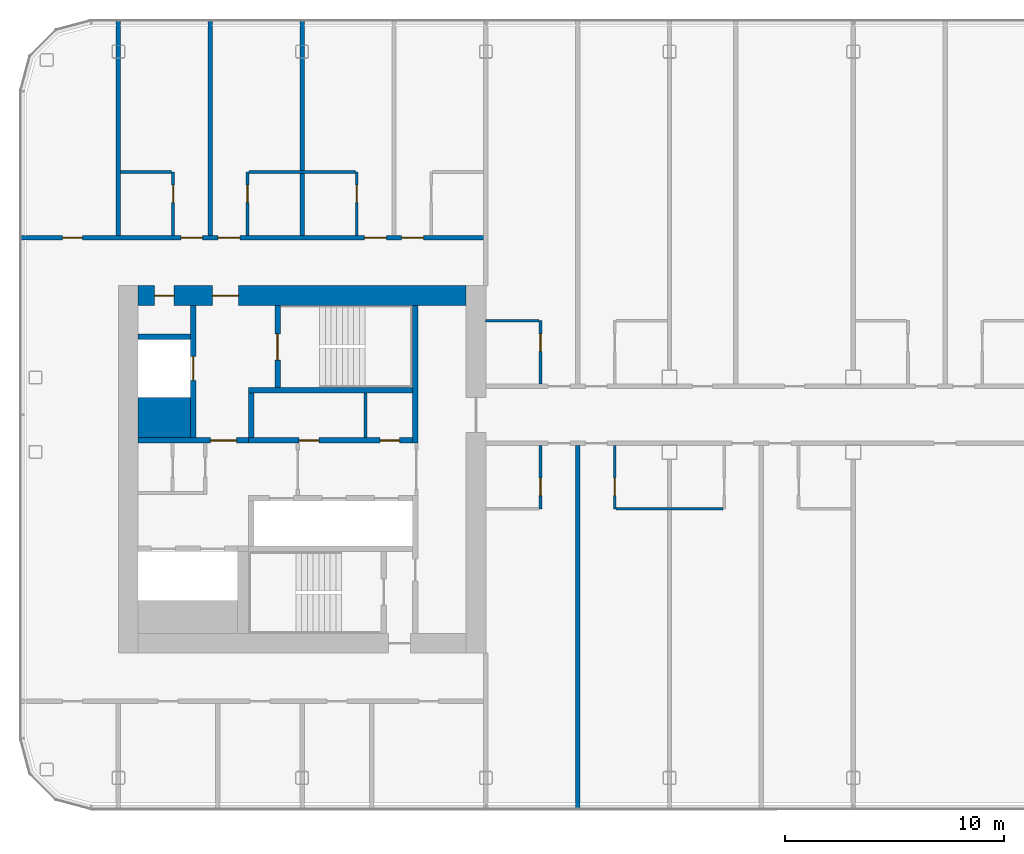
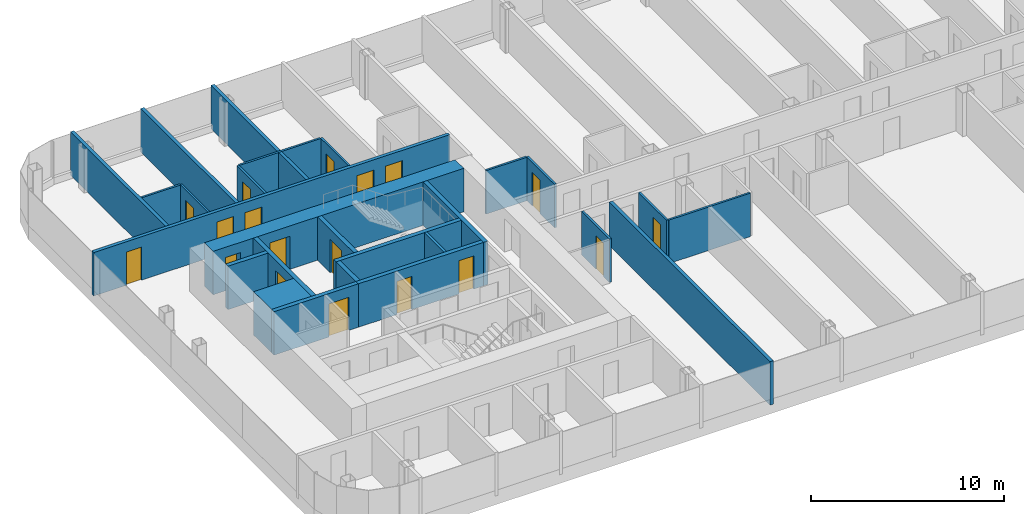
# One storey, part 14 of 26: 26 walls, 18 doors, 18 openings.
"""IFC4 building model written with IfcOpenShell, lengths in metres."""

from ifc_helpers import new_model, si_unit, direction, frame, frame_2d, origin, place, context, subcontext, project, spatial, rectangle, extrude, material, layer, layer_set, type_object, element, fill, save


model = new_model("IFC4")

# Units and contexts
model_context = context("Model", 3, precision=1e-05, world=origin(), true_north=direction((0.0, 1.0)))
body_context = subcontext(model_context, "Body", "Model", "MODEL_VIEW")
ifc_project = project(units=[si_unit("LENGTHUNIT", "METRE"), si_unit("AREAUNIT", "SQUARE_METRE"), si_unit("VOLUMEUNIT", "CUBIC_METRE"), si_unit("PLANEANGLEUNIT", "RADIAN"), si_unit("MASSUNIT", "GRAM", prefix="KILO")], contexts=[model_context])

# Site, building, storey
site_placement = place(None, origin())
site = spatial("IfcSite", under=ifc_project, at=site_placement, CompositionType="ELEMENT")
building_placement = place(site_placement, origin())
building = spatial("IfcBuilding", under=site, at=building_placement, Name="Hakoniwa Tower and Hamabe Station Hall", CompositionType="ELEMENT")
storey_placement = place(building_placement, frame((0.0, 0.0, 221.800048828125)))
storey = spatial("IfcBuildingStorey", under=building, at=storey_placement, Name="L63", CompositionType="ELEMENT", Elevation=221.800048828125)

# Walls
ifc_material_1 = material(Name="Gypsum board partition", Category="gypsum")
ifc_layer_1 = layer(ifc_material_1, 0.125)
ifc_layer_set_1 = layer_set([ifc_layer_1], Name="Bathroom Partition 125")
wall_type_1 = type_object("IfcWallType", Name="Bathroom Partition 125", PredefinedType="PARTITIONING", material=ifc_layer_set_1)
wall_1_placement = place(storey_placement, frame((-10.83740234375, -1.800048828125, 0.0), z_axis=(0.0, 0.0, 1.0), x_axis=(1.0, 0.0, 0.0)))
element("IfcWall", 1, at=wall_1_placement, inside=storey, type_object=wall_type_1, Name="GW-L63-004", PredefinedType="PARTITIONING", context=body_context, shape_type="SweptSolid", body=[
    extrude(rectangle(XDim=4.875, YDim=0.125, at=frame_2d((2.4375, 0.0))), origin(), (0.0, 0.0, 1.0), 2.75),
])
wall_2_placement = place(storey_placement, frame((-16.81005859375, 6.800048828125, 0.0), z_axis=(0.0, 0.0, 1.0), x_axis=(1.0, 0.0, 0.0)))
element("IfcWall", 2, at=wall_2_placement, inside=storey, type_object=wall_type_1, Name="GW-L63-010", PredefinedType="PARTITIONING", context=body_context, shape_type="SweptSolid", body=[
    extrude(rectangle(XDim=2.447509765625, YDim=0.125, at=frame_2d((1.2236328125, 0.0))), origin(), (0.0, 0.0, 1.0), 2.75),
])
wall_3_placement = place(storey_placement, frame((-33.5, 13.60009765625, 0.0), z_axis=(0.0, 0.0, 1.0), x_axis=(1.0, 0.0, 0.0)))
element("IfcWall", 3, at=wall_3_placement, inside=storey, type_object=wall_type_1, Name="GW-L63-017", PredefinedType="PARTITIONING", context=body_context, shape_type="SweptSolid", body=[
    extrude(rectangle(XDim=2.33740234375, YDim=0.125, at=frame_2d((1.168701171875, 0.0))), origin(), (0.0, 0.0, 1.0), 2.75),
])
wall_4_placement = place(storey_placement, frame((-27.637451171875, 13.60009765625, 0.0), z_axis=(0.0, 0.0, 1.0), x_axis=(1.0, 0.0, 0.0)))
element("IfcWall", 4, at=wall_4_placement, inside=storey, type_object=wall_type_1, Name="GW-L63-018", PredefinedType="PARTITIONING", context=body_context, shape_type="SweptSolid", body=[
    extrude(rectangle(XDim=4.875, YDim=0.125, at=frame_2d((2.4375, 0.0))), origin(), (0.0, 0.0, 1.0), 2.75),
])

# Wall, opening, door
wall_5_placement = place(storey_placement, frame((-31.10009765625, 10.699951171875, 0.0), z_axis=(0.0, 0.0, 1.0), x_axis=(0.0, 1.0, 0.0)))
wall_5 = element("IfcWall", 5, at=wall_5_placement, inside=storey, type_object=wall_type_1, Name="GW-L63-023", PredefinedType="PARTITIONING", context=body_context, shape_type="SweptSolid", body=[
    extrude(rectangle(XDim=2.900146484375, YDim=0.125, at=frame_2d((1.4501953125, 0.0))), origin(), (0.0, 0.0, 1.0), 2.75),
])
opening_1_placement = place(wall_5_placement, frame((1.5, 0.0, 0.0)))
opening_1 = element("IfcOpeningElement", 6, at=opening_1_placement, cuts=wall_5, Name="Opening GD-G4B2-34", PredefinedType="OPENING", context=body_context, shape_type="SweptSolid", body=[
    extrude(rectangle(XDim=0.800048828125, YDim=2.10009765625, at=frame_2d((0.39990234375, 1.050048828125))), frame((0.0, 0.072509765625, 0.0), z_axis=(0.0, -1.0, 0.0), x_axis=(1.0, 0.0, 0.0)), (0.0, 0.0, 1.0), 0.14501953125),
])
ifc_material_2 = material(Name="Timber door leaf", Category="wood")
door_type_1 = type_object("IfcDoorType", Name="Bathroom Door 800", OperationType="SINGLE_SWING_LEFT", PredefinedType="DOOR", material=ifc_material_2)
door_1_placement = place(opening_1_placement, origin())
door_1 = element("IfcDoor", 7, at=door_1_placement, inside=storey, type_object=door_type_1, Name="Door GD-G4B2-34", OperationType="SINGLE_SWING_LEFT", OverallHeight=2.10009765625, OverallWidth=0.800048828125, PredefinedType="DOOR", context=body_context, shape_type="SweptSolid", body=[
    extrude(rectangle(XDim=0.800048828125, YDim=2.10009765625, at=frame_2d((0.39990234375, 1.050048828125))), frame((0.0, 0.02490234375, 0.0), z_axis=(0.0, -1.0, 0.0), x_axis=(1.0, 0.0, 0.0)), (0.0, 0.0, 1.0), 0.050048828125),
])
fill(opening_1, door_1)

wall_6_placement = place(storey_placement, frame((-27.699951171875, 10.699951171875, 0.0), z_axis=(0.0, 0.0, 1.0), x_axis=(0.0, 1.0, 0.0)))
wall_6 = element("IfcWall", 8, at=wall_6_placement, inside=storey, type_object=wall_type_1, Name="GW-L63-026", PredefinedType="PARTITIONING", context=body_context, shape_type="SweptSolid", body=[
    extrude(rectangle(XDim=2.900146484375, YDim=0.125, at=frame_2d((1.4501953125, 0.0))), origin(), (0.0, 0.0, 1.0), 2.75),
])
opening_2_placement = place(wall_6_placement, frame((1.5, 0.0, 0.0)))
opening_2 = element("IfcOpeningElement", 9, at=opening_2_placement, cuts=wall_6, Name="Opening GD-G4B2-35", PredefinedType="OPENING", context=body_context, shape_type="SweptSolid", body=[
    extrude(rectangle(XDim=0.800048828125, YDim=2.10009765625, at=frame_2d((0.39990234375, 1.050048828125))), frame((0.0, 0.072509765625, 0.0), z_axis=(0.0, -1.0, 0.0), x_axis=(1.0, 0.0, 0.0)), (0.0, 0.0, 1.0), 0.14501953125),
])
door_2_placement = place(opening_2_placement, origin())
door_2 = element("IfcDoor", 10, at=door_2_placement, inside=storey, type_object=door_type_1, Name="Door GD-G4B2-35", OperationType="SINGLE_SWING_RIGHT", OverallHeight=2.10009765625, OverallWidth=0.800048828125, PredefinedType="DOOR", context=body_context, shape_type="SweptSolid", body=[
    extrude(rectangle(XDim=0.800048828125, YDim=2.10009765625, at=frame_2d((0.39990234375, 1.050048828125))), frame((0.0, 0.02490234375, 0.0), z_axis=(0.0, -1.0, 0.0), x_axis=(1.0, 0.0, 0.0)), (0.0, 0.0, 1.0), 0.050048828125),
])
fill(opening_2, door_2)

wall_7_placement = place(storey_placement, frame((-22.699951171875, 10.699951171875, 0.0), z_axis=(0.0, 0.0, 1.0), x_axis=(0.0, 1.0, 0.0)))
wall_7 = element("IfcWall", 11, at=wall_7_placement, inside=storey, type_object=wall_type_1, Name="GW-L63-029", PredefinedType="PARTITIONING", context=body_context, shape_type="SweptSolid", body=[
    extrude(rectangle(XDim=2.900146484375, YDim=0.125, at=frame_2d((1.4501953125, 0.0))), origin(), (0.0, 0.0, 1.0), 2.75),
])
opening_3_placement = place(wall_7_placement, frame((1.5, 0.0, 0.0)))
opening_3 = element("IfcOpeningElement", 12, at=opening_3_placement, cuts=wall_7, Name="Opening GD-G4B2-36", PredefinedType="OPENING", context=body_context, shape_type="SweptSolid", body=[
    extrude(rectangle(XDim=0.800048828125, YDim=2.10009765625, at=frame_2d((0.39990234375, 1.050048828125))), frame((0.0, 0.072509765625, 0.0), z_axis=(0.0, -1.0, 0.0), x_axis=(1.0, 0.0, 0.0)), (0.0, 0.0, 1.0), 0.14501953125),
])
door_3_placement = place(opening_3_placement, origin())
door_3 = element("IfcDoor", 13, at=door_3_placement, inside=storey, type_object=door_type_1, Name="Door GD-G4B2-36", OperationType="SINGLE_SWING_LEFT", OverallHeight=2.10009765625, OverallWidth=0.800048828125, PredefinedType="DOOR", context=body_context, shape_type="SweptSolid", body=[
    extrude(rectangle(XDim=0.800048828125, YDim=2.10009765625, at=frame_2d((0.39990234375, 1.050048828125))), frame((0.0, 0.02490234375, 0.0), z_axis=(0.0, -1.0, 0.0), x_axis=(1.0, 0.0, 0.0)), (0.0, 0.0, 1.0), 0.050048828125),
])
fill(opening_3, door_3)

wall_8_placement = place(storey_placement, frame((-14.300048828125, -1.800048828125, 0.0), z_axis=(0.0, 0.0, 1.0), x_axis=(0.0, 1.0, 0.0)))
wall_8 = element("IfcWall", 14, at=wall_8_placement, inside=storey, type_object=wall_type_1, Name="GW-L63-035", PredefinedType="PARTITIONING", context=body_context, shape_type="SweptSolid", body=[
    extrude(rectangle(XDim=2.900146484375, YDim=0.125, at=frame_2d((1.4501953125, 0.0))), origin(), (0.0, 0.0, 1.0), 2.75),
])
opening_4_placement = place(wall_8_placement, frame((0.60009765625, 0.0, 0.0)))
opening_4 = element("IfcOpeningElement", 15, at=opening_4_placement, cuts=wall_8, Name="Opening GD-G4B2-38", PredefinedType="OPENING", context=body_context, shape_type="SweptSolid", body=[
    extrude(rectangle(XDim=0.800048828125, YDim=2.10009765625, at=frame_2d((0.39990234375, 1.050048828125))), frame((0.0, 0.072509765625, 0.0), z_axis=(0.0, -1.0, 0.0), x_axis=(1.0, 0.0, 0.0)), (0.0, 0.0, 1.0), 0.14501953125),
])
door_4_placement = place(opening_4_placement, origin())
door_4 = element("IfcDoor", 16, at=door_4_placement, inside=storey, type_object=door_type_1, Name="Door GD-G4B2-38", OperationType="SINGLE_SWING_RIGHT", OverallHeight=2.10009765625, OverallWidth=0.800048828125, PredefinedType="DOOR", context=body_context, shape_type="SweptSolid", body=[
    extrude(rectangle(XDim=0.800048828125, YDim=2.10009765625, at=frame_2d((0.39990234375, 1.050048828125))), frame((0.0, 0.02490234375, 0.0), z_axis=(0.0, -1.0, 0.0), x_axis=(1.0, 0.0, 0.0)), (0.0, 0.0, 1.0), 0.050048828125),
])
fill(opening_4, door_4)

wall_9_placement = place(storey_placement, frame((-14.300048828125, 3.89990234375, 0.0), z_axis=(0.0, 0.0, 1.0), x_axis=(0.0, 1.0, 0.0)))
wall_9 = element("IfcWall", 17, at=wall_9_placement, inside=storey, type_object=wall_type_1, Name="GW-L63-036", PredefinedType="PARTITIONING", context=body_context, shape_type="SweptSolid", body=[
    extrude(rectangle(XDim=2.900146484375, YDim=0.125, at=frame_2d((1.4501953125, 0.0))), origin(), (0.0, 0.0, 1.0), 2.75),
])
opening_5_placement = place(wall_9_placement, frame((1.5, 0.0, 0.0)))
opening_5 = element("IfcOpeningElement", 18, at=opening_5_placement, cuts=wall_9, Name="Opening GD-G4B2-39", PredefinedType="OPENING", context=body_context, shape_type="SweptSolid", body=[
    extrude(rectangle(XDim=0.800048828125, YDim=2.10009765625, at=frame_2d((0.39990234375, 1.050048828125))), frame((0.0, 0.072509765625, 0.0), z_axis=(0.0, -1.0, 0.0), x_axis=(1.0, 0.0, 0.0)), (0.0, 0.0, 1.0), 0.14501953125),
])
door_5_placement = place(opening_5_placement, origin())
door_5 = element("IfcDoor", 19, at=door_5_placement, inside=storey, type_object=door_type_1, Name="Door GD-G4B2-39", OperationType="SINGLE_SWING_LEFT", OverallHeight=2.10009765625, OverallWidth=0.800048828125, PredefinedType="DOOR", context=body_context, shape_type="SweptSolid", body=[
    extrude(rectangle(XDim=0.800048828125, YDim=2.10009765625, at=frame_2d((0.39990234375, 1.050048828125))), frame((0.0, 0.02490234375, 0.0), z_axis=(0.0, -1.0, 0.0), x_axis=(1.0, 0.0, 0.0)), (0.0, 0.0, 1.0), 0.050048828125),
])
fill(opening_5, door_5)

wall_10_placement = place(storey_placement, frame((-10.89990234375, -1.800048828125, 0.0), z_axis=(0.0, 0.0, 1.0), x_axis=(0.0, 1.0, 0.0)))
wall_10 = element("IfcWall", 20, at=wall_10_placement, inside=storey, type_object=wall_type_1, Name="GW-L63-039", PredefinedType="PARTITIONING", context=body_context, shape_type="SweptSolid", body=[
    extrude(rectangle(XDim=2.900146484375, YDim=0.125, at=frame_2d((1.4501953125, 0.0))), origin(), (0.0, 0.0, 1.0), 2.75),
])
opening_6_placement = place(wall_10_placement, frame((0.60009765625, 0.0, 0.0)))
opening_6 = element("IfcOpeningElement", 21, at=opening_6_placement, cuts=wall_10, Name="Opening GD-G4B2-40", PredefinedType="OPENING", context=body_context, shape_type="SweptSolid", body=[
    extrude(rectangle(XDim=0.800048828125, YDim=2.10009765625, at=frame_2d((0.39990234375, 1.050048828125))), frame((0.0, 0.072509765625, 0.0), z_axis=(0.0, -1.0, 0.0), x_axis=(1.0, 0.0, 0.0)), (0.0, 0.0, 1.0), 0.14501953125),
])
door_6_placement = place(opening_6_placement, origin())
door_6 = element("IfcDoor", 22, at=door_6_placement, inside=storey, type_object=door_type_1, Name="Door GD-G4B2-40", OperationType="SINGLE_SWING_LEFT", OverallHeight=2.10009765625, OverallWidth=0.800048828125, PredefinedType="DOOR", context=body_context, shape_type="SweptSolid", body=[
    extrude(rectangle(XDim=0.800048828125, YDim=2.10009765625, at=frame_2d((0.39990234375, 1.050048828125))), frame((0.0, 0.02490234375, 0.0), z_axis=(0.0, -1.0, 0.0), x_axis=(1.0, 0.0, 0.0)), (0.0, 0.0, 1.0), 0.050048828125),
])
fill(opening_6, door_6)

# Wall
ifc_material_3 = material(Name="Gypsum board partition")
ifc_layer_2 = layer(ifc_material_3, 0.14990234375)
ifc_layer_set_2 = layer_set([ifc_layer_2], Name="CORE PARTITION 150 EI 60")
wall_type_2 = type_object("IfcWallType", Name="CORE PARTITION 150 EI 60", PredefinedType="PARTITIONING", material=ifc_layer_set_2)
wall_11_placement = place(storey_placement, frame((-22.300048828125, 1.449951171875, 0.0), z_axis=(0.0, 0.0, 1.0), x_axis=(0.0, 1.0, 0.0)))
element("IfcWall", 23, at=wall_11_placement, inside=storey, type_object=wall_type_2, Name="Core partition PFLR0 west", PredefinedType="PARTITIONING", context=body_context, shape_type="SweptSolid", body=[
    extrude(rectangle(XDim=2.050048828125, YDim=0.14990234375, at=frame_2d((1.02490234375, 0.0))), origin(), (0.0, 0.0, 1.0), 2.75),
])

# Wall, openings, doors
ifc_material_4 = material(Name="Concrete C60", Category="concrete")
ifc_layer_3 = layer(ifc_material_4, 0.89990234375)
ifc_layer_set_3 = layer_set([ifc_layer_3], Name="CORE WALL 900 C60")
wall_type_3 = type_object("IfcWallType", Name="CORE WALL 900 C60", PredefinedType="SHEAR", material=ifc_layer_set_3)
wall_12_placement = place(storey_placement, frame((-32.699951171875, 7.949951171875, 0.0), z_axis=(0.0, 0.0, 1.0), x_axis=(1.0, 0.0, 0.0)))
wall_12 = element("IfcWall", 24, at=wall_12_placement, inside=storey, type_object=wall_type_3, Name="Core wall NORTH west", PredefinedType="SHEAR", context=body_context, shape_type="SweptSolid", body=[
    extrude(rectangle(XDim=15.0, YDim=0.89990234375, at=frame_2d((7.5, 0.0))), origin(), (0.0, 0.0, 1.0), 2.75),
])
opening_7_placement = place(wall_12_placement, frame((3.39990234375, 0.0, 0.0)))
opening_7 = element("IfcOpeningElement", 25, at=opening_7_placement, cuts=wall_12, Name="Opening CD-W-FN1-12", PredefinedType="OPENING", context=body_context, shape_type="SweptSolid", body=[
    extrude(rectangle(XDim=1.199951171875, YDim=2.10009765625, at=frame_2d((0.60009765625, 1.050048828125))), frame((0.0, 0.4599609375, 0.0), z_axis=(0.0, -1.0, 0.0), x_axis=(1.0, 0.0, 0.0)), (0.0, 0.0, 1.0), 0.919921875),
])
opening_8_placement = place(wall_12_placement, frame((0.75, 0.0, 0.0)))
opening_8 = element("IfcOpeningElement", 26, at=opening_8_placement, cuts=wall_12, Name="Opening CD-W-FN2-9", PredefinedType="OPENING", context=body_context, shape_type="SweptSolid", body=[
    extrude(rectangle(XDim=0.89990234375, YDim=2.10009765625, at=frame_2d((0.449951171875, 1.050048828125))), frame((0.0, 0.4599609375, 0.0), z_axis=(0.0, -1.0, 0.0), x_axis=(1.0, 0.0, 0.0)), (0.0, 0.0, 1.0), 0.919921875),
])
ifc_material_5 = material(Name="Steel fire door", Category="steel")
door_type_2 = type_object("IfcDoorType", Name="CORE DOOR 1200 FD60", OperationType="DOUBLE_DOOR_SINGLE_SWING", PredefinedType="DOOR", material=ifc_material_5)
door_7_placement = place(opening_7_placement, origin())
door_7 = element("IfcDoor", 27, at=door_7_placement, inside=storey, type_object=door_type_2, Name="Stair vestibule door to the fire-fighting lobby", OperationType="DOUBLE_DOOR_SINGLE_SWING", OverallHeight=2.10009765625, OverallWidth=1.199951171875, PredefinedType="DOOR", context=body_context, shape_type="SweptSolid", body=[
    extrude(rectangle(XDim=1.199951171875, YDim=2.10009765625, at=frame_2d((0.60009765625, 1.050048828125))), frame((0.0, 0.02490234375, 0.0), z_axis=(0.0, -1.0, 0.0), x_axis=(1.0, 0.0, 0.0)), (0.0, 0.0, 1.0), 0.050048828125),
])
fill(opening_7, door_7)
ifc_material_6 = material(Name="Steel fire door", Category="steel")
door_type_3 = type_object("IfcDoorType", Name="CORE DOOR 900 FD30", OperationType="NOTDEFINED", PredefinedType="DOOR", material=ifc_material_6)
door_8_placement = place(opening_8_placement, origin())
door_8 = element("IfcDoor", 28, at=door_8_placement, inside=storey, type_object=door_type_3, Name="Riser access door", OperationType="SINGLE_SWING_RIGHT", OverallHeight=2.10009765625, OverallWidth=0.89990234375, PredefinedType="DOOR", context=body_context, shape_type="SweptSolid", body=[
    extrude(rectangle(XDim=0.89990234375, YDim=2.10009765625, at=frame_2d((0.449951171875, 1.050048828125))), frame((0.0, 0.02490234375, 0.0), z_axis=(0.0, -1.0, 0.0), x_axis=(1.0, 0.0, 0.0)), (0.0, 0.0, 1.0), 0.050048828125),
])
fill(opening_8, door_8)

# Walls
ifc_material_7 = material(Name="Concrete C60", Category="concrete")
ifc_layer_4 = layer(ifc_material_7, 1.85009765625)
ifc_layer_set_4 = layer_set([ifc_layer_4], Name="CORE WEB WALL 1850 C60")
wall_type_4 = type_object("IfcWallType", Name="CORE WEB WALL 1850 C60", PredefinedType="SHEAR", material=ifc_layer_set_4)
wall_13_placement = place(storey_placement, frame((-32.699951171875, 2.375, 0.0), z_axis=(0.0, 0.0, 1.0), x_axis=(1.0, 0.0, 0.0)))
element("IfcWall", 29, at=wall_13_placement, inside=storey, type_object=wall_type_4, Name="Core wall CA west", PredefinedType="SHEAR", context=body_context, shape_type="SweptSolid", body=[
    extrude(rectangle(XDim=2.39990234375, YDim=1.85009765625, at=frame_2d((1.199951171875, 0.0))), origin(), (0.0, 0.0, 1.0), 2.75),
])
ifc_material_8 = material(Name="Concrete C60", Category="concrete")
ifc_layer_5 = layer(ifc_material_8, 0.25)
ifc_layer_set_5 = layer_set([ifc_layer_5], Name="CORE WEB WALL 250 C60")
wall_type_5 = type_object("IfcWallType", Name="CORE WEB WALL 250 C60", PredefinedType="SHEAR", material=ifc_layer_set_5)
wall_14_placement = place(storey_placement, frame((-20.02490234375, 1.199951171875, 0.0), z_axis=(0.0, 0.0, 1.0), x_axis=(0.0, 1.0, 0.0)))
element("IfcWall", 30, at=wall_14_placement, inside=storey, type_object=wall_type_5, Name="Core wall W1N west", PredefinedType="SHEAR", context=body_context, shape_type="SweptSolid", body=[
    extrude(rectangle(XDim=6.300048828125, YDim=0.25, at=frame_2d((3.14990234375, 0.0))), origin(), (0.0, 0.0, 1.0), 2.75),
])

# Wall, openings, doors
wall_15_placement = place(storey_placement, frame((-27.64990234375, 1.324951171875, 0.0), z_axis=(0.0, 0.0, 1.0), x_axis=(1.0, 0.0, 0.0)))
wall_15 = element("IfcWall", 31, at=wall_15_placement, inside=storey, type_object=wall_type_5, Name="Core wall NF west", PredefinedType="SHEAR", context=body_context, shape_type="SweptSolid", body=[
    extrude(rectangle(XDim=7.5, YDim=0.25, at=frame_2d((3.75, 0.0))), origin(), (0.0, 0.0, 1.0), 2.75),
])
opening_9_placement = place(wall_15_placement, frame((6.012451171875, 0.0, 0.0)))
opening_9 = element("IfcOpeningElement", 32, at=opening_9_placement, cuts=wall_15, Name="Opening CD-W-FRLR0-9", PredefinedType="OPENING", context=body_context, shape_type="SweptSolid", body=[
    extrude(rectangle(XDim=0.89990234375, YDim=2.10009765625, at=frame_2d((0.449951171875, 1.050048828125))), frame((0.0, 0.135009765625, 0.0), z_axis=(0.0, -1.0, 0.0), x_axis=(1.0, 0.0, 0.0)), (0.0, 0.0, 1.0), 0.27001953125),
])
opening_10_placement = place(wall_15_placement, frame((2.3125, 0.0, 0.0)))
opening_10 = element("IfcOpeningElement", 33, at=opening_10_placement, cuts=wall_15, Name="Opening CD-W-FRLR1-9", PredefinedType="OPENING", context=body_context, shape_type="SweptSolid", body=[
    extrude(rectangle(XDim=0.89990234375, YDim=2.10009765625, at=frame_2d((0.449951171875, 1.050048828125))), frame((0.0, 0.135009765625, 0.0), z_axis=(0.0, -1.0, 0.0), x_axis=(1.0, 0.0, 0.0)), (0.0, 0.0, 1.0), 0.27001953125),
])
door_9_placement = place(opening_9_placement, origin())
door_9 = element("IfcDoor", 34, at=door_9_placement, inside=storey, type_object=door_type_3, Name="Store room door", OperationType="SINGLE_SWING_RIGHT", OverallHeight=2.10009765625, OverallWidth=0.89990234375, PredefinedType="DOOR", context=body_context, shape_type="SweptSolid", body=[
    extrude(rectangle(XDim=0.89990234375, YDim=2.10009765625, at=frame_2d((0.449951171875, 1.050048828125))), frame((0.0, 0.02490234375, 0.0), z_axis=(0.0, -1.0, 0.0), x_axis=(1.0, 0.0, 0.0)), (0.0, 0.0, 1.0), 0.050048828125),
])
fill(opening_9, door_9)
door_10_placement = place(opening_10_placement, origin())
door_10 = element("IfcDoor", 35, at=door_10_placement, inside=storey, type_object=door_type_3, Name="Store room door", OperationType="SINGLE_SWING_RIGHT", OverallHeight=2.10009765625, OverallWidth=0.89990234375, PredefinedType="DOOR", context=body_context, shape_type="SweptSolid", body=[
    extrude(rectangle(XDim=0.89990234375, YDim=2.10009765625, at=frame_2d((0.449951171875, 1.050048828125))), frame((0.0, 0.02490234375, 0.0), z_axis=(0.0, -1.0, 0.0), x_axis=(1.0, 0.0, 0.0)), (0.0, 0.0, 1.0), 0.050048828125),
])
fill(opening_10, door_10)

# Walls
wall_16_placement = place(storey_placement, frame((-27.52490234375, 1.449951171875, 0.0), z_axis=(0.0, 0.0, 1.0), x_axis=(0.0, 1.0, 0.0)))
element("IfcWall", 36, at=wall_16_placement, inside=storey, type_object=wall_type_5, Name="Core wall NE west", PredefinedType="SHEAR", context=body_context, shape_type="SweptSolid", body=[
    extrude(rectangle(XDim=2.050048828125, YDim=0.25, at=frame_2d((1.02490234375, 0.0))), origin(), (0.0, 0.0, 1.0), 2.75),
])
wall_17_placement = place(storey_placement, frame((-27.64990234375, 3.625, 0.0), z_axis=(0.0, 0.0, 1.0), x_axis=(1.0, 0.0, 0.0)))
element("IfcWall", 37, at=wall_17_placement, inside=storey, type_object=wall_type_5, Name="Core wall NR west", PredefinedType="SHEAR", context=body_context, shape_type="SweptSolid", body=[
    extrude(rectangle(XDim=7.5, YDim=0.25, at=frame_2d((3.75, 0.0))), origin(), (0.0, 0.0, 1.0), 2.75),
])

# Wall, opening, door
wall_18_placement = place(storey_placement, frame((-26.324951171875, 3.75, 0.0), z_axis=(0.0, 0.0, 1.0), x_axis=(0.0, 1.0, 0.0)))
wall_18 = element("IfcWall", 38, at=wall_18_placement, inside=storey, type_object=wall_type_5, Name="Core wall NSE west", PredefinedType="SHEAR", context=body_context, shape_type="SweptSolid", body=[
    extrude(rectangle(XDim=3.75, YDim=0.25, at=frame_2d((1.875, 0.0))), origin(), (0.0, 0.0, 1.0), 2.75),
])
opening_11_placement = place(wall_18_placement, frame((1.25, 0.0, 0.0)))
opening_11 = element("IfcOpeningElement", 39, at=opening_11_placement, cuts=wall_18, Name="Opening CD-W-SN-12", PredefinedType="OPENING", context=body_context, shape_type="SweptSolid", body=[
    extrude(rectangle(XDim=1.199951171875, YDim=2.10009765625, at=frame_2d((0.60009765625, 1.050048828125))), frame((0.0, 0.135009765625, 0.0), z_axis=(0.0, -1.0, 0.0), x_axis=(1.0, 0.0, 0.0)), (0.0, 0.0, 1.0), 0.27001953125),
])
door_11_placement = place(opening_11_placement, origin())
door_11 = element("IfcDoor", 40, at=door_11_placement, inside=storey, type_object=door_type_2, Name="Escape stair door", OperationType="DOUBLE_DOOR_SINGLE_SWING", OverallHeight=2.10009765625, OverallWidth=1.199951171875, PredefinedType="DOOR", context=body_context, shape_type="SweptSolid", body=[
    extrude(rectangle(XDim=1.199951171875, YDim=2.10009765625, at=frame_2d((0.60009765625, 1.050048828125))), frame((0.0, 0.02490234375, 0.0), z_axis=(0.0, -1.0, 0.0), x_axis=(1.0, 0.0, 0.0)), (0.0, 0.0, 1.0), 0.050048828125),
])
fill(opening_11, door_11)

wall_19_placement = place(storey_placement, frame((-32.699951171875, 1.324951171875, 0.0), z_axis=(0.0, 0.0, 1.0), x_axis=(1.0, 0.0, 0.0)))
wall_19 = element("IfcWall", 41, at=wall_19_placement, inside=storey, type_object=wall_type_5, Name="Core wall ELN west", PredefinedType="SHEAR", context=body_context, shape_type="SweptSolid", body=[
    extrude(rectangle(XDim=5.050048828125, YDim=0.25, at=frame_2d((2.52490234375, 0.0))), origin(), (0.0, 0.0, 1.0), 2.75),
])
opening_12_placement = place(wall_19_placement, frame((3.300048828125, 0.0, 0.0)))
opening_12 = element("IfcOpeningElement", 42, at=opening_12_placement, cuts=wall_19, Name="Opening CD-W-FL-12", PredefinedType="OPENING", context=body_context, shape_type="SweptSolid", body=[
    extrude(rectangle(XDim=1.199951171875, YDim=2.10009765625, at=frame_2d((0.60009765625, 1.050048828125))), frame((0.0, 0.135009765625, 0.0), z_axis=(0.0, -1.0, 0.0), x_axis=(1.0, 0.0, 0.0)), (0.0, 0.0, 1.0), 0.27001953125),
])
door_12_placement = place(opening_12_placement, origin())
door_12 = element("IfcDoor", 43, at=door_12_placement, inside=storey, type_object=door_type_2, Name="Stair vestibule door to the fire-fighting lobby", OperationType="DOUBLE_DOOR_SINGLE_SWING", OverallHeight=2.10009765625, OverallWidth=1.199951171875, PredefinedType="DOOR", context=body_context, shape_type="SweptSolid", body=[
    extrude(rectangle(XDim=1.199951171875, YDim=2.10009765625, at=frame_2d((0.60009765625, 1.050048828125))), frame((0.0, 0.02490234375, 0.0), z_axis=(0.0, -1.0, 0.0), x_axis=(1.0, 0.0, 0.0)), (0.0, 0.0, 1.0), 0.050048828125),
])
fill(opening_12, door_12)

wall_20_placement = place(storey_placement, frame((-30.175048828125, 1.449951171875, 0.0), z_axis=(0.0, 0.0, 1.0), x_axis=(0.0, 1.0, 0.0)))
wall_20 = element("IfcWall", 44, at=wall_20_placement, inside=storey, type_object=wall_type_5, Name="Core wall FFF west", PredefinedType="SHEAR", context=body_context, shape_type="SweptSolid", body=[
    extrude(rectangle(XDim=6.050048828125, YDim=0.25, at=frame_2d((3.02490234375, 0.0))), origin(), (0.0, 0.0, 1.0), 2.75),
])
opening_13_placement = place(wall_20_placement, frame((2.625, 0.0, 0.0)))
opening_13 = element("IfcOpeningElement", 45, at=opening_13_placement, cuts=wall_20, Name="Opening LD-FF1", PredefinedType="OPENING", context=body_context, shape_type="SweptSolid", body=[
    extrude(rectangle(XDim=1.10009765625, YDim=2.10009765625, at=frame_2d((0.550048828125, 1.050048828125))), frame((0.0, 0.135009765625, 0.0), z_axis=(0.0, -1.0, 0.0), x_axis=(1.0, 0.0, 0.0)), (0.0, 0.0, 1.0), 0.27001953125),
])
ifc_material_9 = material(Name="Stainless steel SUS304", Category="steel")
door_type_4 = type_object("IfcDoorType", Name="LIFT LANDING DOOR 1100 FD60", OperationType="DOUBLE_DOOR_SLIDING", PredefinedType="DOOR", material=ifc_material_9)
door_13_placement = place(opening_13_placement, origin())
door_13 = element("IfcDoor", 46, at=door_13_placement, inside=storey, type_object=door_type_4, Name="Lift landing door FF1 L63", OperationType="DOUBLE_DOOR_SLIDING", OverallHeight=2.10009765625, OverallWidth=1.10009765625, PredefinedType="DOOR", context=body_context, shape_type="SweptSolid", body=[
    extrude(rectangle(XDim=1.10009765625, YDim=2.10009765625, at=frame_2d((0.550048828125, 1.050048828125))), frame((0.0, 0.02490234375, 0.0), z_axis=(0.0, -1.0, 0.0), x_axis=(1.0, 0.0, 0.0)), (0.0, 0.0, 1.0), 0.050048828125),
])
fill(opening_13, door_13)

# Wall
wall_21_placement = place(storey_placement, frame((-32.699951171875, 6.074951171875, 0.0), z_axis=(0.0, 0.0, 1.0), x_axis=(1.0, 0.0, 0.0)))
element("IfcWall", 47, at=wall_21_placement, inside=storey, type_object=wall_type_5, Name="Core wall C2 west", PredefinedType="SHEAR", context=body_context, shape_type="SweptSolid", body=[
    extrude(rectangle(XDim=2.39990234375, YDim=0.25, at=frame_2d((1.199951171875, 0.0))), origin(), (0.0, 0.0, 1.0), 2.75),
])

# Wall, openings, doors
ifc_material_10 = material(Name="Fire-rated gypsum board partition", Category="gypsum")
ifc_layer_6 = layer(ifc_material_10, 0.199951171875)
ifc_layer_set_6 = layer_set([ifc_layer_6], Name="Corridor Wall 200")
wall_type_6 = type_object("IfcWallType", Name="Corridor Wall 200", PredefinedType="PARTITIONING", material=ifc_layer_set_6)
wall_22_placement = place(storey_placement, frame((-38.10009765625, 10.60009765625, 0.0), z_axis=(0.0, 0.0, 1.0), x_axis=(1.0, 0.0, 0.0)))
wall_22 = element("IfcWall", 48, at=wall_22_placement, inside=storey, type_object=wall_type_6, Name="GW-L63-015", PredefinedType="PARTITIONING", context=body_context, shape_type="SweptSolid", body=[
    extrude(rectangle(XDim=21.300048828125, YDim=0.199951171875, at=frame_2d((10.64990234375, 0.0))), origin(), (0.0, 0.0, 1.0), 2.75),
])
opening_14_placement = place(wall_22_placement, frame((1.949951171875, 0.0, 0.0)))
opening_14 = element("IfcOpeningElement", 49, at=opening_14_placement, cuts=wall_22, Name="Opening GD-G4B2-26", PredefinedType="OPENING", context=body_context, shape_type="SweptSolid", body=[
    extrude(rectangle(XDim=0.89990234375, YDim=2.10009765625, at=frame_2d((0.449951171875, 1.050048828125))), frame((0.0, 0.10986328125, 0.0), z_axis=(0.0, -1.0, 0.0), x_axis=(1.0, 0.0, 0.0)), (0.0, 0.0, 1.0), 0.219970703125),
])
opening_15_placement = place(wall_22_placement, frame((7.35009765625, 0.0, 0.0)))
opening_15 = element("IfcOpeningElement", 50, at=opening_15_placement, cuts=wall_22, Name="Opening GD-G4B2-27", PredefinedType="OPENING", context=body_context, shape_type="SweptSolid", body=[
    extrude(rectangle(XDim=1.0, YDim=2.10009765625, at=frame_2d((0.5, 1.050048828125))), frame((0.0, 0.10986328125, 0.0), z_axis=(0.0, -1.0, 0.0), x_axis=(1.0, 0.0, 0.0)), (0.0, 0.0, 1.0), 0.219970703125),
])
opening_16_placement = place(wall_22_placement, frame((9.050048828125, 0.0, 0.0)))
opening_16 = element("IfcOpeningElement", 51, at=opening_16_placement, cuts=wall_22, Name="Opening GD-G4B2-28", PredefinedType="OPENING", context=body_context, shape_type="SweptSolid", body=[
    extrude(rectangle(XDim=1.0, YDim=2.10009765625, at=frame_2d((0.5, 1.050048828125))), frame((0.0, 0.10986328125, 0.0), z_axis=(0.0, -1.0, 0.0), x_axis=(1.0, 0.0, 0.0)), (0.0, 0.0, 1.0), 0.219970703125),
])
opening_17_placement = place(wall_22_placement, frame((15.75, 0.0, 0.0)))
opening_17 = element("IfcOpeningElement", 52, at=opening_17_placement, cuts=wall_22, Name="Opening GD-G4B2-29", PredefinedType="OPENING", context=body_context, shape_type="SweptSolid", body=[
    extrude(rectangle(XDim=1.0, YDim=2.10009765625, at=frame_2d((0.5, 1.050048828125))), frame((0.0, 0.10986328125, 0.0), z_axis=(0.0, -1.0, 0.0), x_axis=(1.0, 0.0, 0.0)), (0.0, 0.0, 1.0), 0.219970703125),
])
opening_18_placement = place(wall_22_placement, frame((17.449951171875, 0.0, 0.0)))
opening_18 = element("IfcOpeningElement", 53, at=opening_18_placement, cuts=wall_22, Name="Opening GD-G4B2-30", PredefinedType="OPENING", context=body_context, shape_type="SweptSolid", body=[
    extrude(rectangle(XDim=1.0, YDim=2.10009765625, at=frame_2d((0.5, 1.050048828125))), frame((0.0, 0.10986328125, 0.0), z_axis=(0.0, -1.0, 0.0), x_axis=(1.0, 0.0, 0.0)), (0.0, 0.0, 1.0), 0.219970703125),
])
ifc_material_11 = material(Name="Timber door leaf", Category="wood")
door_type_5 = type_object("IfcDoorType", Name="Guest Entrance Door 1000", OperationType="SINGLE_SWING_LEFT", PredefinedType="DOOR", material=ifc_material_11)
door_14_placement = place(opening_15_placement, origin())
door_14 = element("IfcDoor", 54, at=door_14_placement, inside=storey, type_object=door_type_5, Name="Door GD-G4B2-27", OperationType="SINGLE_SWING_LEFT", OverallHeight=2.10009765625, OverallWidth=1.0, PredefinedType="DOOR", context=body_context, shape_type="SweptSolid", body=[
    extrude(rectangle(XDim=1.0, YDim=2.10009765625, at=frame_2d((0.5, 1.050048828125))), frame((0.0, 0.02490234375, 0.0), z_axis=(0.0, -1.0, 0.0), x_axis=(1.0, 0.0, 0.0)), (0.0, 0.0, 1.0), 0.050048828125),
])
fill(opening_15, door_14)
door_15_placement = place(opening_16_placement, origin())
door_15 = element("IfcDoor", 55, at=door_15_placement, inside=storey, type_object=door_type_5, Name="Door GD-G4B2-28", OperationType="SINGLE_SWING_RIGHT", OverallHeight=2.10009765625, OverallWidth=1.0, PredefinedType="DOOR", context=body_context, shape_type="SweptSolid", body=[
    extrude(rectangle(XDim=1.0, YDim=2.10009765625, at=frame_2d((0.5, 1.050048828125))), frame((0.0, 0.02490234375, 0.0), z_axis=(0.0, -1.0, 0.0), x_axis=(1.0, 0.0, 0.0)), (0.0, 0.0, 1.0), 0.050048828125),
])
fill(opening_16, door_15)
door_16_placement = place(opening_17_placement, origin())
door_16 = element("IfcDoor", 56, at=door_16_placement, inside=storey, type_object=door_type_5, Name="Door GD-G4B2-29", OperationType="SINGLE_SWING_LEFT", OverallHeight=2.10009765625, OverallWidth=1.0, PredefinedType="DOOR", context=body_context, shape_type="SweptSolid", body=[
    extrude(rectangle(XDim=1.0, YDim=2.10009765625, at=frame_2d((0.5, 1.050048828125))), frame((0.0, 0.02490234375, 0.0), z_axis=(0.0, -1.0, 0.0), x_axis=(1.0, 0.0, 0.0)), (0.0, 0.0, 1.0), 0.050048828125),
])
fill(opening_17, door_16)
door_17_placement = place(opening_18_placement, origin())
door_17 = element("IfcDoor", 57, at=door_17_placement, inside=storey, type_object=door_type_5, Name="Door GD-G4B2-30", OperationType="SINGLE_SWING_LEFT", OverallHeight=2.10009765625, OverallWidth=1.0, PredefinedType="DOOR", context=body_context, shape_type="SweptSolid", body=[
    extrude(rectangle(XDim=1.0, YDim=2.10009765625, at=frame_2d((0.5, 1.050048828125))), frame((0.0, 0.02490234375, 0.0), z_axis=(0.0, -1.0, 0.0), x_axis=(1.0, 0.0, 0.0)), (0.0, 0.0, 1.0), 0.050048828125),
])
fill(opening_18, door_17)
ifc_material_12 = material(Name="Timber door leaf", Category="wood")
door_type_6 = type_object("IfcDoorType", Name="Service Door 900", OperationType="SINGLE_SWING_LEFT", PredefinedType="DOOR", material=ifc_material_12)
door_18_placement = place(opening_14_placement, origin())
door_18 = element("IfcDoor", 58, at=door_18_placement, inside=storey, type_object=door_type_6, Name="Door GD-G4B2-26", OperationType="SINGLE_SWING_LEFT", OverallHeight=2.10009765625, OverallWidth=0.89990234375, PredefinedType="DOOR", context=body_context, shape_type="SweptSolid", body=[
    extrude(rectangle(XDim=0.89990234375, YDim=2.10009765625, at=frame_2d((0.449951171875, 1.050048828125))), frame((0.0, 0.02490234375, 0.0), z_axis=(0.0, -1.0, 0.0), x_axis=(1.0, 0.0, 0.0)), (0.0, 0.0, 1.0), 0.050048828125),
])
fill(opening_14, door_18)

# Walls
ifc_material_13 = material(Name="Fire-rated gypsum board partition", Category="gypsum")
ifc_layer_7 = layer(ifc_material_13, 0.199951171875)
ifc_layer_set_7 = layer_set([ifc_layer_7], Name="Party Wall 200")
wall_type_7 = type_object("IfcWallType", Name="Party Wall 200", PredefinedType="PARTITIONING", material=ifc_layer_set_7)
for number, where, z_axis, x_axis, name in (
    (59, (-33.60009765625, 10.699951171875, 0.0), (0.0, 0.0, 1.0), (0.0, 1.0, 0.0), "GW-L63-022"),
    (60, (-29.39990234375, 10.699951171875, 0.0), (0.0, 0.0, 1.0), (0.0, 1.0, 0.0), "GW-L63-024"),
    (61, (-25.199951171875, 10.699951171875, 0.0), (0.0, 0.0, 1.0), (0.0, 1.0, 0.0), "GW-L63-028"),
):
    element("IfcWall", number, at=place(storey_placement, frame(where, z_axis=z_axis, x_axis=x_axis)), inside=storey, type_object=wall_type_7, Name=name, PredefinedType="PARTITIONING", context=body_context, shape_type="SweptSolid", body=[
        extrude(rectangle(XDim=9.85009765625, YDim=0.199951171875, at=frame_2d((4.925048828125, 0.0))), origin(), (0.0, 0.0, 1.0), 2.75),
    ])
wall_23_placement = place(storey_placement, frame((-12.60009765625, -15.550048828125, 0.0), z_axis=(0.0, 0.0, 1.0), x_axis=(0.0, 1.0, 0.0)))
element("IfcWall", 62, at=wall_23_placement, inside=storey, type_object=wall_type_7, Name="GW-L63-037", PredefinedType="PARTITIONING", context=body_context, shape_type="SweptSolid", body=[
    extrude(rectangle(XDim=16.650146484375, YDim=0.199951171875, at=frame_2d((8.3251953125, 0.0))), origin(), (0.0, 0.0, 1.0), 2.75),
])

save(model, "model.ifc")
